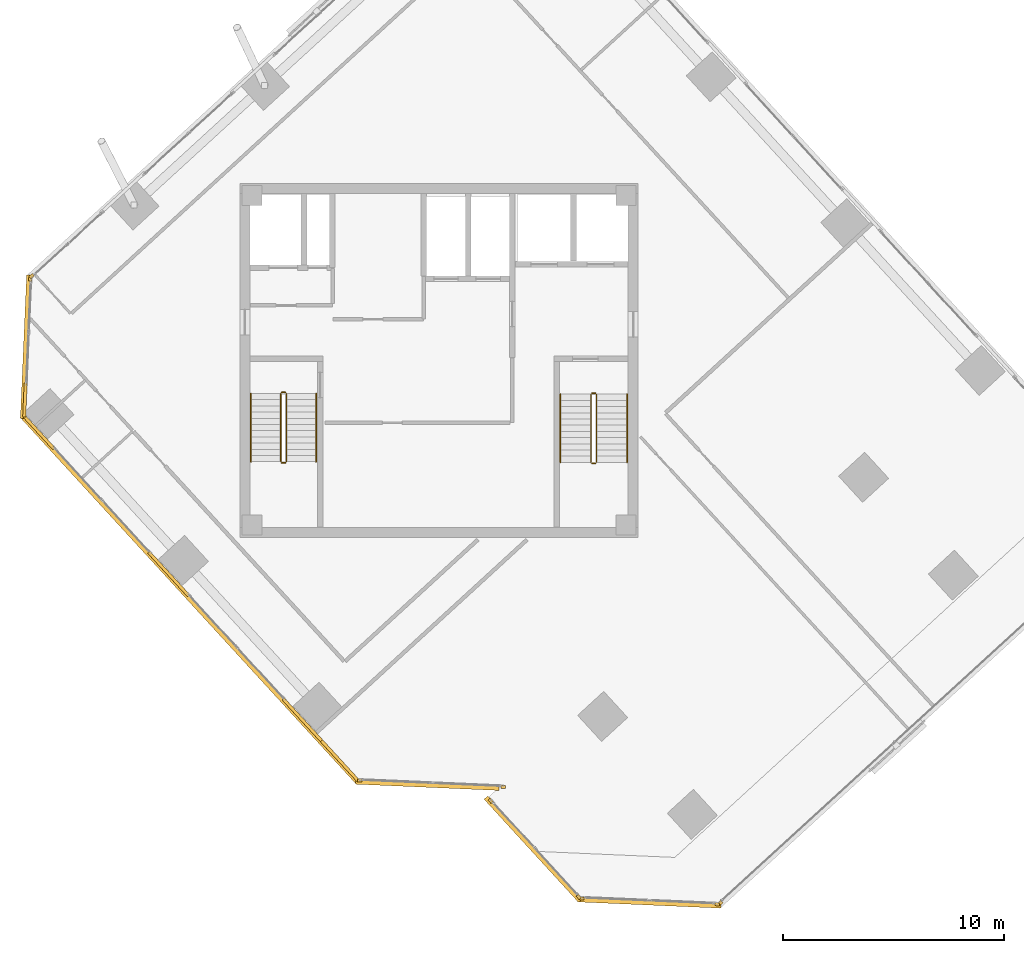
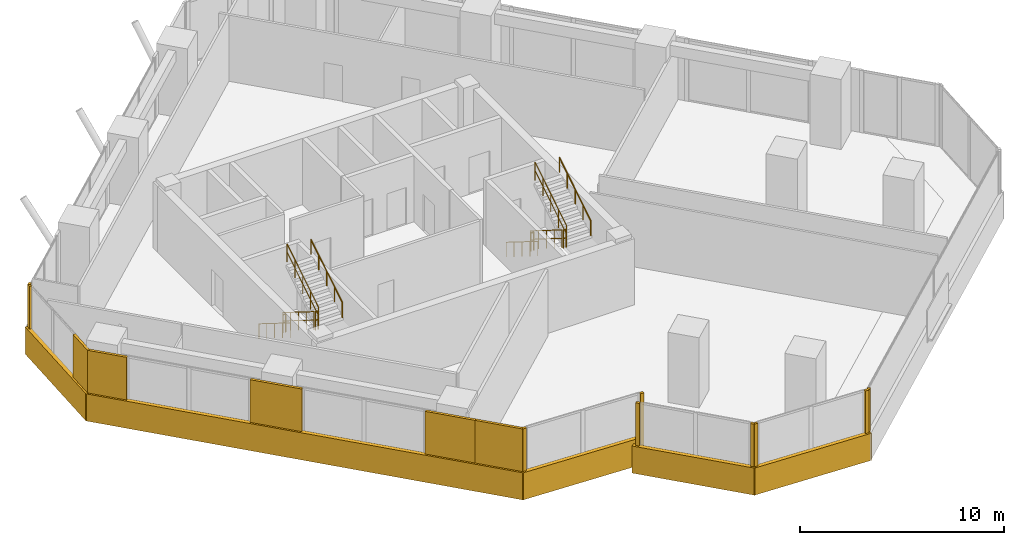
# One storey, part 14 of 16: 19 coverings, 12 railings.
"""IFC4 building model written with IfcOpenShell, lengths in metres."""

from ifc_helpers import new_model, si_unit, direction, frame, origin, origin_2d, place, context, subcontext, project, spatial, rectangle, circle, extrude, source, transform, mapped, material, layer, layer_set, type_object, element, save


model = new_model("IFC4")

# Units and contexts
model_context = context("Model", 3, precision=1e-05, world=origin(), true_north=direction((0.0, 1.0)))
body_context = subcontext(model_context, "Body", "Model", "MODEL_VIEW")
ifc_project = project(units=[si_unit("LENGTHUNIT", "METRE"), si_unit("AREAUNIT", "SQUARE_METRE"), si_unit("VOLUMEUNIT", "CUBIC_METRE"), si_unit("PLANEANGLEUNIT", "RADIAN"), si_unit("MASSUNIT", "GRAM", prefix="KILO")], contexts=[model_context])

# Site, building, storey
site_placement = place(None, origin())
site = spatial("IfcSite", under=ifc_project, at=site_placement, CompositionType="ELEMENT")
building_placement = place(site_placement, origin())
building = spatial("IfcBuilding", under=site, at=building_placement, Name="Torre Montelarca", CompositionType="ELEMENT")
storey_placement = place(building_placement, frame((0.0, 0.0, 262.60009765625)))
storey = spatial("IfcBuildingStorey", under=building, at=storey_placement, Name="L59", CompositionType="ELEMENT", Elevation=262.60009765625)

# Railings
ifc_material_1 = material(Name="Powder-coated steel ASTM A500 Grade C", Category="steel")
railing_type_1 = type_object("IfcRailingType", Name="RL-GUARD-1100", PredefinedType="BALUSTRADE", material=ifc_material_1)
railing_1_placement = place(storey_placement, frame((10.85009765625, 30.5, 0.1748046875)))
element("IfcRailing", 1, at=railing_1_placement, inside=storey, type_object=railing_type_1, Name="L59 ST1 stair guard 1", PredefinedType="BALUSTRADE", context=body_context, shape_type="SweptSolid", body=[
    extrude(circle(Radius=0.02392578125, at=origin_2d()), frame((0.0, 0.0, 1.076171875), z_axis=(0.0, -0.847998304005, 0.529998940003), x_axis=(1.0, 0.0, 0.0)), (0.0, 0.0, 1.0), 3.632080078125),
    extrude(circle(Radius=0.02099609375, at=origin_2d()), frame((0.0, 0.0, 0.572021484375), z_axis=(0.0, -0.847998304005, 0.529998940003), x_axis=(1.0, 0.0, 0.0)), (0.0, 0.0, 1.0), 3.632080078125),
    extrude(circle(Radius=0.02099609375, at=origin_2d()), origin(), (0.0, 0.0, 1.0), 1.052001953125),
    extrude(circle(Radius=0.02099609375, at=origin_2d()), frame((0.0, -0.77001953125, 0.481201171875)), (0.0, 0.0, 1.0), 1.052001953125),
    extrude(circle(Radius=0.02099609375, at=origin_2d()), frame((0.0, -1.5400390625, 0.96240234375)), (0.0, 0.0, 1.0), 1.052001953125),
    extrude(circle(Radius=0.02099609375, at=origin_2d()), frame((0.0, -2.31005859375, 1.44384765625)), (0.0, 0.0, 1.0), 1.052001953125),
    extrude(circle(Radius=0.02099609375, at=origin_2d()), frame((0.0, -3.080078125, 1.925048828125)), (0.0, 0.0, 1.0), 1.052001953125),
])
railing_2_placement = place(storey_placement, frame((10.89990234375, 27.3701171875, 2.099853515625)))
element("IfcRailing", 2, at=railing_2_placement, inside=storey, type_object=railing_type_1, Name="L59 ST1 stair guard 2", PredefinedType="BALUSTRADE", context=body_context, shape_type="SweptSolid", body=[
    extrude(circle(Radius=0.02392578125, at=origin_2d()), frame((0.0, 0.0, 1.076171875), z_axis=(1.0, 0.0, 0.0), x_axis=(0.0, 1.0, 0.0)), (0.0, 0.0, 1.0), 0.150146484375),
    extrude(circle(Radius=0.02099609375, at=origin_2d()), frame((0.0, 0.0, 0.572021484375), z_axis=(1.0, 0.0, 0.0), x_axis=(0.0, 1.0, 0.0)), (0.0, 0.0, 1.0), 0.150146484375),
    extrude(circle(Radius=0.02099609375, at=origin_2d()), origin(), (0.0, 0.0, 1.0), 1.052001953125),
    extrude(circle(Radius=0.02099609375, at=origin_2d()), frame((0.150146484375, 0.0, 0.0)), (0.0, 0.0, 1.0), 1.052001953125),
])
railing_3_placement = place(storey_placement, frame((11.10009765625, 27.419921875, 2.27490234375)))
element("IfcRailing", 3, at=railing_3_placement, inside=storey, type_object=railing_type_1, Name="L59 ST1 stair guard 3", PredefinedType="BALUSTRADE", context=body_context, shape_type="SweptSolid", body=[
    extrude(circle(Radius=0.02392578125, at=origin_2d()), frame((0.0, 0.0, 1.076171875), z_axis=(0.0, 0.847998304005, 0.529998940003), x_axis=(-1.0, 0.0, 0.0)), (0.0, 0.0, 1.0), 3.632080078125),
    extrude(circle(Radius=0.02099609375, at=origin_2d()), frame((0.0, 0.0, 0.572021484375), z_axis=(0.0, 0.847998304005, 0.529998940003), x_axis=(-1.0, 0.0, 0.0)), (0.0, 0.0, 1.0), 3.632080078125),
    extrude(circle(Radius=0.02099609375, at=origin_2d()), origin(), (0.0, 0.0, 1.0), 1.052001953125),
    extrude(circle(Radius=0.02099609375, at=origin_2d()), frame((0.0, 0.77001953125, 0.481201171875)), (0.0, 0.0, 1.0), 1.052001953125),
    extrude(circle(Radius=0.02099609375, at=origin_2d()), frame((0.0, 1.5400390625, 0.96240234375)), (0.0, 0.0, 1.0), 1.052001953125),
    extrude(circle(Radius=0.02099609375, at=origin_2d()), frame((0.0, 2.31005859375, 1.44384765625)), (0.0, 0.0, 1.0), 1.052001953125),
    extrude(circle(Radius=0.02099609375, at=origin_2d()), frame((0.0, 3.080078125, 1.925048828125)), (0.0, 0.0, 1.0), 1.052001953125),
])
railing_4_placement = place(storey_placement, frame((10.89990234375, 30.550048828125, 0.0)))
element("IfcRailing", 4, at=railing_4_placement, inside=storey, type_object=railing_type_1, Name="L59 ST1 stair guard 4", PredefinedType="BALUSTRADE", context=body_context, shape_type="SweptSolid", body=[
    extrude(circle(Radius=0.02392578125, at=origin_2d()), frame((0.0, 0.0, 1.076171875), z_axis=(1.0, 0.0, 0.0), x_axis=(0.0, 1.0, 0.0)), (0.0, 0.0, 1.0), 0.150146484375),
    extrude(circle(Radius=0.02099609375, at=origin_2d()), frame((0.0, 0.0, 0.572021484375), z_axis=(1.0, 0.0, 0.0), x_axis=(0.0, 1.0, 0.0)), (0.0, 0.0, 1.0), 0.150146484375),
    extrude(circle(Radius=0.02099609375, at=origin_2d()), origin(), (0.0, 0.0, 1.0), 1.052001953125),
    extrude(circle(Radius=0.02099609375, at=origin_2d()), frame((0.150146484375, 0.0, 0.0)), (0.0, 0.0, 1.0), 1.052001953125),
])
railing_5_placement = place(storey_placement, frame((24.8701171875, 30.469970703125, 0.1748046875)))
element("IfcRailing", 5, at=railing_5_placement, inside=storey, type_object=railing_type_1, Name="L59 ST2 stair guard 1", PredefinedType="BALUSTRADE", context=body_context, shape_type="SweptSolid", body=[
    extrude(circle(Radius=0.02392578125, at=origin_2d()), frame((0.0, 0.0, 1.076171875), z_axis=(0.0, -0.847998304005, 0.529998940003), x_axis=(1.0, 0.0, 0.0)), (0.0, 0.0, 1.0), 3.632080078125),
    extrude(circle(Radius=0.02099609375, at=origin_2d()), frame((0.0, 0.0, 0.572021484375), z_axis=(0.0, -0.847998304005, 0.529998940003), x_axis=(1.0, 0.0, 0.0)), (0.0, 0.0, 1.0), 3.632080078125),
    extrude(circle(Radius=0.02099609375, at=origin_2d()), origin(), (0.0, 0.0, 1.0), 1.052001953125),
    extrude(circle(Radius=0.02099609375, at=origin_2d()), frame((0.0, -0.77001953125, 0.481201171875)), (0.0, 0.0, 1.0), 1.052001953125),
    extrude(circle(Radius=0.02099609375, at=origin_2d()), frame((0.0, -1.5400390625, 0.96240234375)), (0.0, 0.0, 1.0), 1.052001953125),
    extrude(circle(Radius=0.02099609375, at=origin_2d()), frame((0.0, -2.31005859375, 1.44384765625)), (0.0, 0.0, 1.0), 1.052001953125),
    extrude(circle(Radius=0.02099609375, at=origin_2d()), frame((0.0, -3.080078125, 1.925048828125)), (0.0, 0.0, 1.0), 1.052001953125),
])
railing_6_placement = place(storey_placement, frame((24.919921875, 27.340087890625, 2.099853515625)))
element("IfcRailing", 6, at=railing_6_placement, inside=storey, type_object=railing_type_1, Name="L59 ST2 stair guard 2", PredefinedType="BALUSTRADE", context=body_context, shape_type="SweptSolid", body=[
    extrude(circle(Radius=0.02392578125, at=origin_2d()), frame((0.0, 0.0, 1.076171875), z_axis=(1.0, 0.0, 0.0), x_axis=(0.0, 1.0, 0.0)), (0.0, 0.0, 1.0), 0.150146484375),
    extrude(circle(Radius=0.02099609375, at=origin_2d()), frame((0.0, 0.0, 0.572021484375), z_axis=(1.0, 0.0, 0.0), x_axis=(0.0, 1.0, 0.0)), (0.0, 0.0, 1.0), 0.150146484375),
    extrude(circle(Radius=0.02099609375, at=origin_2d()), origin(), (0.0, 0.0, 1.0), 1.052001953125),
    extrude(circle(Radius=0.02099609375, at=origin_2d()), frame((0.150146484375, 0.0, 0.0)), (0.0, 0.0, 1.0), 1.052001953125),
])
railing_7_placement = place(storey_placement, frame((25.1201171875, 27.389892578125, 2.27490234375)))
element("IfcRailing", 7, at=railing_7_placement, inside=storey, type_object=railing_type_1, Name="L59 ST2 stair guard 3", PredefinedType="BALUSTRADE", context=body_context, shape_type="SweptSolid", body=[
    extrude(circle(Radius=0.02392578125, at=origin_2d()), frame((0.0, 0.0, 1.076171875), z_axis=(0.0, 0.847998304005, 0.529998940003), x_axis=(-1.0, 0.0, 0.0)), (0.0, 0.0, 1.0), 3.632080078125),
    extrude(circle(Radius=0.02099609375, at=origin_2d()), frame((0.0, 0.0, 0.572021484375), z_axis=(0.0, 0.847998304005, 0.529998940003), x_axis=(-1.0, 0.0, 0.0)), (0.0, 0.0, 1.0), 3.632080078125),
    extrude(circle(Radius=0.02099609375, at=origin_2d()), origin(), (0.0, 0.0, 1.0), 1.052001953125),
    extrude(circle(Radius=0.02099609375, at=origin_2d()), frame((0.0, 0.77001953125, 0.481201171875)), (0.0, 0.0, 1.0), 1.052001953125),
    extrude(circle(Radius=0.02099609375, at=origin_2d()), frame((0.0, 1.5400390625, 0.96240234375)), (0.0, 0.0, 1.0), 1.052001953125),
    extrude(circle(Radius=0.02099609375, at=origin_2d()), frame((0.0, 2.31005859375, 1.44384765625)), (0.0, 0.0, 1.0), 1.052001953125),
    extrude(circle(Radius=0.02099609375, at=origin_2d()), frame((0.0, 3.080078125, 1.925048828125)), (0.0, 0.0, 1.0), 1.052001953125),
])
railing_8_placement = place(storey_placement, frame((24.919921875, 30.52001953125, 0.0)))
element("IfcRailing", 8, at=railing_8_placement, inside=storey, type_object=railing_type_1, Name="L59 ST2 stair guard 4", PredefinedType="BALUSTRADE", context=body_context, shape_type="SweptSolid", body=[
    extrude(circle(Radius=0.02392578125, at=origin_2d()), frame((0.0, 0.0, 1.076171875), z_axis=(1.0, 0.0, 0.0), x_axis=(0.0, 1.0, 0.0)), (0.0, 0.0, 1.0), 0.150146484375),
    extrude(circle(Radius=0.02099609375, at=origin_2d()), frame((0.0, 0.0, 0.572021484375), z_axis=(1.0, 0.0, 0.0), x_axis=(0.0, 1.0, 0.0)), (0.0, 0.0, 1.0), 0.150146484375),
    extrude(circle(Radius=0.02099609375, at=origin_2d()), origin(), (0.0, 0.0, 1.0), 1.052001953125),
    extrude(circle(Radius=0.02099609375, at=origin_2d()), frame((0.150146484375, 0.0, 0.0)), (0.0, 0.0, 1.0), 1.052001953125),
])
ifc_material_2 = material(Name="Brushed stainless steel AISI 316", Category="steel")
railing_type_2 = type_object("IfcRailingType", Name="RL-HANDRAIL-900", PredefinedType="HANDRAIL", material=ifc_material_2)
railing_9_placement = place(storey_placement, frame((9.5, 30.5, 0.1748046875)))
element("IfcRailing", 9, at=railing_9_placement, inside=storey, type_object=railing_type_2, Name="L59 ST1 stair handrail 1", PredefinedType="HANDRAIL", context=body_context, shape_type="SweptSolid", body=[
    extrude(circle(Radius=0.02392578125, at=origin_2d()), frame((0.0, 0.0, 0.8759765625), z_axis=(0.0, -0.847998304005, 0.529998940003), x_axis=(1.0, 0.0, 0.0)), (0.0, 0.0, 1.0), 3.632080078125),
    extrude(circle(Radius=0.02099609375, at=origin_2d()), origin(), (0.0, 0.0, 1.0), 0.851806640625),
    extrude(circle(Radius=0.02099609375, at=origin_2d()), frame((0.0, -0.77001953125, 0.481201171875)), (0.0, 0.0, 1.0), 0.851806640625),
    extrude(circle(Radius=0.02099609375, at=origin_2d()), frame((0.0, -1.5400390625, 0.96240234375)), (0.0, 0.0, 1.0), 0.851806640625),
    extrude(circle(Radius=0.02099609375, at=origin_2d()), frame((0.0, -2.31005859375, 1.44384765625)), (0.0, 0.0, 1.0), 0.851806640625),
    extrude(circle(Radius=0.02099609375, at=origin_2d()), frame((0.0, -3.080078125, 1.925048828125)), (0.0, 0.0, 1.0), 0.851806640625),
])
railing_10_placement = place(storey_placement, frame((12.449951171875, 27.419921875, 2.27490234375)))
element("IfcRailing", 10, at=railing_10_placement, inside=storey, type_object=railing_type_2, Name="L59 ST1 stair handrail 2", PredefinedType="HANDRAIL", context=body_context, shape_type="SweptSolid", body=[
    extrude(circle(Radius=0.02392578125, at=origin_2d()), frame((0.0, 0.0, 0.8759765625), z_axis=(0.0, 0.847998304005, 0.529998940003), x_axis=(-1.0, 0.0, 0.0)), (0.0, 0.0, 1.0), 3.632080078125),
    extrude(circle(Radius=0.02099609375, at=origin_2d()), origin(), (0.0, 0.0, 1.0), 0.851806640625),
    extrude(circle(Radius=0.02099609375, at=origin_2d()), frame((0.0, 0.77001953125, 0.481201171875)), (0.0, 0.0, 1.0), 0.851806640625),
    extrude(circle(Radius=0.02099609375, at=origin_2d()), frame((0.0, 1.5400390625, 0.96240234375)), (0.0, 0.0, 1.0), 0.851806640625),
    extrude(circle(Radius=0.02099609375, at=origin_2d()), frame((0.0, 2.31005859375, 1.44384765625)), (0.0, 0.0, 1.0), 0.851806640625),
    extrude(circle(Radius=0.02099609375, at=origin_2d()), frame((0.0, 3.080078125, 1.925048828125)), (0.0, 0.0, 1.0), 0.851806640625),
])
railing_11_placement = place(storey_placement, frame((23.489990234375, 30.469970703125, 0.1748046875)))
element("IfcRailing", 11, at=railing_11_placement, inside=storey, type_object=railing_type_2, Name="L59 ST2 stair handrail 1", PredefinedType="HANDRAIL", context=body_context, shape_type="SweptSolid", body=[
    extrude(circle(Radius=0.02392578125, at=origin_2d()), frame((0.0, 0.0, 0.8759765625), z_axis=(0.0, -0.847998304005, 0.529998940003), x_axis=(1.0, 0.0, 0.0)), (0.0, 0.0, 1.0), 3.632080078125),
    extrude(circle(Radius=0.02099609375, at=origin_2d()), origin(), (0.0, 0.0, 1.0), 0.851806640625),
    extrude(circle(Radius=0.02099609375, at=origin_2d()), frame((0.0, -0.77001953125, 0.481201171875)), (0.0, 0.0, 1.0), 0.851806640625),
    extrude(circle(Radius=0.02099609375, at=origin_2d()), frame((0.0, -1.5400390625, 0.96240234375)), (0.0, 0.0, 1.0), 0.851806640625),
    extrude(circle(Radius=0.02099609375, at=origin_2d()), frame((0.0, -2.31005859375, 1.44384765625)), (0.0, 0.0, 1.0), 0.851806640625),
    extrude(circle(Radius=0.02099609375, at=origin_2d()), frame((0.0, -3.080078125, 1.925048828125)), (0.0, 0.0, 1.0), 0.851806640625),
])
railing_12_placement = place(storey_placement, frame((26.5, 27.389892578125, 2.27490234375)))
element("IfcRailing", 12, at=railing_12_placement, inside=storey, type_object=railing_type_2, Name="L59 ST2 stair handrail 2", PredefinedType="HANDRAIL", context=body_context, shape_type="SweptSolid", body=[
    extrude(circle(Radius=0.02392578125, at=origin_2d()), frame((0.0, 0.0, 0.8759765625), z_axis=(0.0, 0.847998304005, 0.529998940003), x_axis=(-1.0, 0.0, 0.0)), (0.0, 0.0, 1.0), 3.632080078125),
    extrude(circle(Radius=0.02099609375, at=origin_2d()), origin(), (0.0, 0.0, 1.0), 0.851806640625),
    extrude(circle(Radius=0.02099609375, at=origin_2d()), frame((0.0, 0.77001953125, 0.481201171875)), (0.0, 0.0, 1.0), 0.851806640625),
    extrude(circle(Radius=0.02099609375, at=origin_2d()), frame((0.0, 1.5400390625, 0.96240234375)), (0.0, 0.0, 1.0), 0.851806640625),
    extrude(circle(Radius=0.02099609375, at=origin_2d()), frame((0.0, 2.31005859375, 1.44384765625)), (0.0, 0.0, 1.0), 0.851806640625),
    extrude(circle(Radius=0.02099609375, at=origin_2d()), frame((0.0, 3.080078125, 1.925048828125)), (0.0, 0.0, 1.0), 0.851806640625),
])

# Coverings
ifc_material_3 = material(Name="Bush-hammered warm white precast concrete C45/55", Category="concrete")
ifc_layer = layer(ifc_material_3, 0.139892578125, Name="Bush-hammered warm white precast concrete C45/55", Category="concrete")
ifc_layer_set = layer_set([ifc_layer], Name="Bush-hammered warm white precast concrete C45/55")
covering_type = type_object("IfcCoveringType", Name="COV-TRAY-CLAD", PredefinedType="CLADDING", material=ifc_layer_set)
shared_shape_1 = source(origin(), body_context, "Body", "SweptSolid", [
    extrude(rectangle(XDim=6.48388671875, YDim=0.219970703125, at=origin_2d()), origin(), (0.0, 0.0, 1.0), 1.6201171875),
])
for number, where, z_axis, x_axis, name in (
    (13, (17.477294921875, 12.8125, -0.4501953125), (0.0, 0.0, 1.0), (0.99904814545, -0.043621131033, 0.0), "L59 Architectural White Spandrel Tray Band TRYBOT-02"),
    (14, (27.5078125, 7.490966796875, -0.4501953125), (0.0, 0.0, 1.0), (0.99904814545, -0.043621131033, 0.0), "L59 Architectural White Spandrel Tray Band TRYBOT-05"),
    (15, (-0.66748046875, 32.614013671875, -0.4501953125), (0.0, 0.0, 1.0), (-0.043621131033, -0.99904814545, 0.0), "L59 Architectural White Spandrel Tray Band TRYBOT-11"),
):
    element("IfcCovering", number, at=place(storey_placement, frame(where, z_axis=z_axis, x_axis=x_axis)), inside=storey, type_object=covering_type, Name=name, PredefinedType="CLADDING", context=body_context, shape_type="MappedRepresentation", body=[
        mapped(shared_shape_1, transform((0.0, 0.0, 0.0), scale=1.0)),
    ])
shared_shape_2 = source(origin(), body_context, "Body", "SweptSolid", [
    extrude(rectangle(XDim=0.199951171875, YDim=0.139892578125, at=origin_2d()), origin(), (0.0, 0.0, 1.0), 3.719970703125),
])
for number, where, z_axis, x_axis, name in (
    (16, (14.416748046875, 13.006103515625, 0.0), (0.0, 0.0, 1.0), (0.99904814545, -0.043621131033, 0.0), "L59 Architectural Column Pier Cladding E02-1"),
    (17, (20.910400390625, 12.72265625, 0.0), (0.0, 0.0, 1.0), (0.99904814545, -0.043621131033, 0.0), "L59 Architectural Column Pier Cladding E02-2"),
    (18, (20.3349609375, 12.090087890625, 0.0), (0.0, 0.0, 1.0), (0.675585060432, -0.737282053302, 0.0), "L59 Architectural Column Pier Cladding E04-1"),
    (19, (24.315673828125, 7.745849609375, 0.0), (0.0, 0.0, 1.0), (0.675585060432, -0.737282053302, 0.0), "L59 Architectural Column Pier Cladding E04-2"),
    (20, (24.447265625, 7.6845703125, 0.0), (0.0, 0.0, 1.0), (0.999047840893, -0.043628105704, 0.0), "L59 Architectural Column Pier Cladding E05-1"),
    (21, (30.573486328125, 7.4169921875, 0.0), (0.0, 0.0, 1.0), (0.999047840893, -0.043628105704, 0.0), "L59 Architectural Column Pier Cladding E05-2"),
    (22, (30.7099609375, 7.466796875, 0.0), (0.0, 0.0, 1.0), (0.73727733681, 0.675590207616, 0.0), "L59 Architectural Column Pier Cladding E06-1"),
    (23, (-0.41259765625, 35.80615234375, 0.0), (0.0, 0.0, 1.0), (-0.737276157682, -0.675591494406, 0.0), "L59 Architectural Column Pier Cladding E10-5"),
    (24, (-0.4736328125, 35.674560546875, 0.0), (0.0, 0.0, 1.0), (-0.043628105704, -0.999047840893, 0.0), "L59 Architectural Column Pier Cladding E11-1"),
):
    element("IfcCovering", number, at=place(storey_placement, frame(where, z_axis=z_axis, x_axis=x_axis)), inside=storey, type_object=covering_type, Name=name, PredefinedType="CLADDING", context=body_context, shape_type="MappedRepresentation", body=[
        mapped(shared_shape_2, transform((0.0, 0.0, 0.0), scale=1.0)),
    ])
shared_shape_3 = source(origin(), body_context, "Body", "SweptSolid", [
    extrude(rectangle(XDim=2.01416015625, YDim=0.139892578125, at=origin_2d()), origin(), (0.0, 0.0, 1.0), 3.719970703125),
])
covering_1_placement = place(storey_placement, frame((-0.078857421875, 28.742919921875, 0.0), z_axis=(0.0, 0.0, 1.0), x_axis=(0.675590207616, -0.73727733681, 0.0)))
element("IfcCovering", 25, at=covering_1_placement, inside=storey, type_object=covering_type, Name="L59 Architectural Column Pier Cladding E01-1", PredefinedType="CLADDING", context=body_context, shape_type="MappedRepresentation", body=[
    mapped(shared_shape_3, transform((0.0, 0.0, 0.0), scale=1.0)),
])
shared_shape_4 = source(origin(), body_context, "Body", "SweptSolid", [
    extrude(rectangle(XDim=2.659912109375, YDim=0.139892578125, at=origin_2d()), origin(), (0.0, 0.0, 1.0), 3.719970703125),
])
for number, where, z_axis, x_axis, name in (
    (26, (5.783447265625, 22.345458984375, 0.0), (0.0, 0.0, 1.0), (0.675590207616, -0.73727733681, 0.0), "L59 Architectural Column Pier Cladding E01-2"),
    (27, (11.86376953125, 15.7099609375, 0.0), (0.0, 0.0, 1.0), (0.675590207616, -0.73727733681, 0.0), "L59 Architectural Column Pier Cladding E01-3"),
):
    element("IfcCovering", number, at=place(storey_placement, frame(where, z_axis=z_axis, x_axis=x_axis)), inside=storey, type_object=covering_type, Name=name, PredefinedType="CLADDING", context=body_context, shape_type="MappedRepresentation", body=[
        mapped(shared_shape_4, transform((0.0, 0.0, 0.0), scale=1.0)),
    ])
shared_shape_5 = source(origin(), body_context, "Body", "SweptSolid", [
    extrude(rectangle(XDim=2.4541015625, YDim=0.139892578125, at=origin_2d()), origin(), (0.0, 0.0, 1.0), 3.719970703125),
])
covering_2_placement = place(storey_placement, frame((13.523681640625, 13.8984375, 0.0), z_axis=(0.0, 0.0, 1.0), x_axis=(0.675590207616, -0.73727733681, 0.0)))
element("IfcCovering", 28, at=covering_2_placement, inside=storey, type_object=covering_type, Name="L59 Architectural Column Pier Cladding E01-4", PredefinedType="CLADDING", context=body_context, shape_type="MappedRepresentation", body=[
    mapped(shared_shape_5, transform((0.0, 0.0, 0.0), scale=1.0)),
])
shared_shape_6 = source(origin(), body_context, "Body", "SweptSolid", [
    extrude(rectangle(XDim=1.5263671875, YDim=0.139892578125, at=origin_2d()), origin(), (0.0, 0.0, 1.0), 3.719970703125),
])
covering_3_placement = place(storey_placement, frame((-0.71240234375, 30.210693359375, 0.0), z_axis=(0.0, 0.0, 1.0), x_axis=(-0.043628105704, -0.999047840893, 0.0)))
element("IfcCovering", 29, at=covering_3_placement, inside=storey, type_object=covering_type, Name="L59 Architectural Column Pier Cladding E11-2", PredefinedType="CLADDING", context=body_context, shape_type="MappedRepresentation", body=[
    mapped(shared_shape_6, transform((0.0, 0.0, 0.0), scale=1.0)),
])
shared_shape_7 = source(origin(), body_context, "Body", "SweptSolid", [
    extrude(rectangle(XDim=22.52001953125, YDim=0.219970703125, at=origin_2d()), origin(), (0.0, 0.0, 1.0), 1.6201171875),
])
covering_4_placement = place(storey_placement, frame((6.75244140625, 21.19921875, -0.4501953125), z_axis=(0.0, 0.0, 1.0), x_axis=(0.675590207616, -0.73727733681, 0.0)))
element("IfcCovering", 30, at=covering_4_placement, inside=storey, type_object=covering_type, Name="L59 Architectural White Spandrel Tray Band TRYBOT-01", PredefinedType="CLADDING", context=body_context, shape_type="MappedRepresentation", body=[
    mapped(shared_shape_7, transform((0.0, 0.0, 0.0), scale=1.0)),
])
shared_shape_8 = source(origin(), body_context, "Body", "SweptSolid", [
    extrude(rectangle(XDim=6.320068359375, YDim=0.219970703125, at=origin_2d()), origin(), (0.0, 0.0, 1.0), 1.6201171875),
])
covering_5_placement = place(storey_placement, frame((22.25537109375, 9.905517578125, -0.4501953125), z_axis=(0.0, 0.0, 1.0), x_axis=(0.675595354766, -0.737272620283, 0.0)))
element("IfcCovering", 31, at=covering_5_placement, inside=storey, type_object=covering_type, Name="L59 Architectural White Spandrel Tray Band TRYBOT-04", PredefinedType="CLADDING", context=body_context, shape_type="MappedRepresentation", body=[
    mapped(shared_shape_8, transform((0.0, 0.0, 0.0), scale=1.0)),
])

save(model, "model.ifc")
